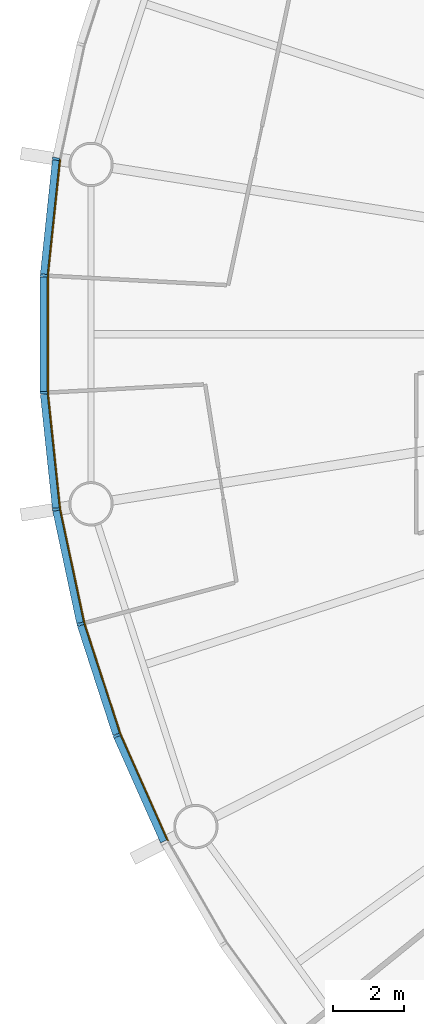
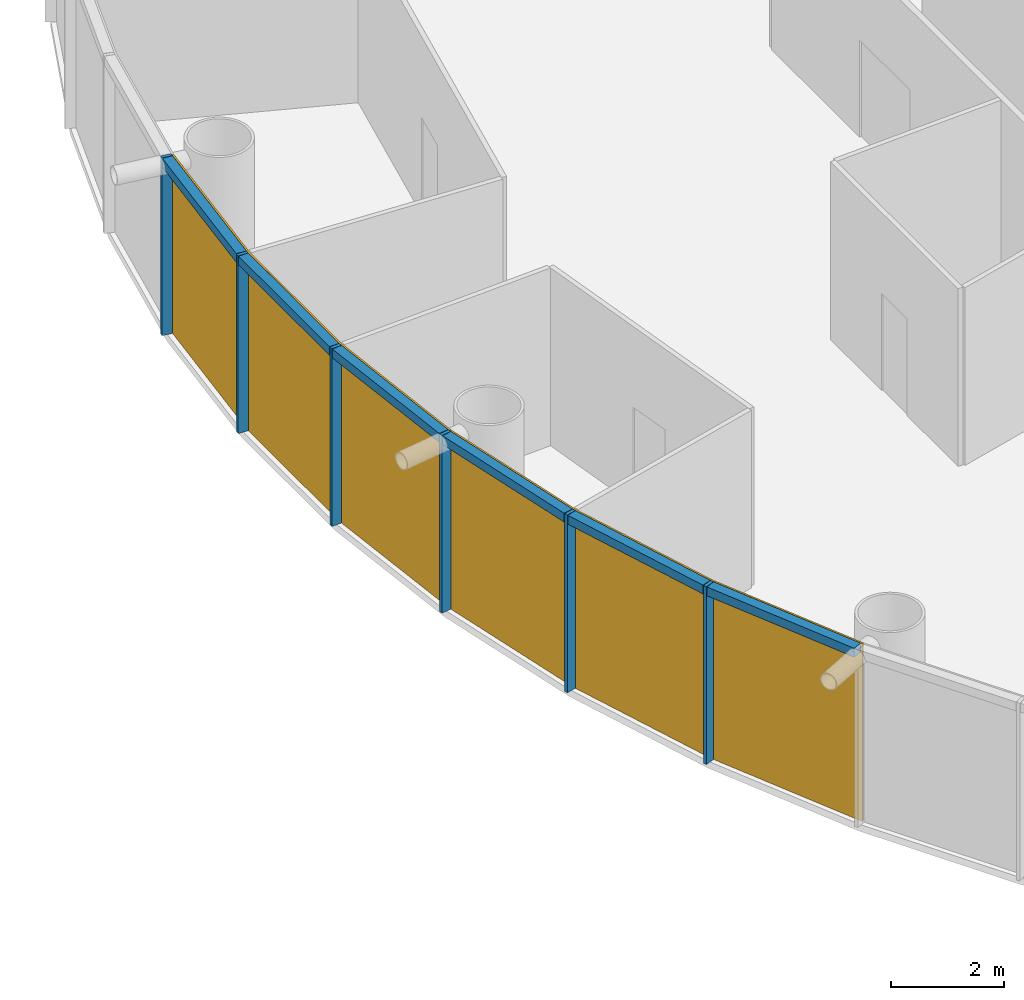
# One storey, part 8 of 13: 12 members, 2 curtain walls.
"""IFC4 building model written with IfcOpenShell, lengths in metres."""

from ifc_helpers import new_model, si_unit, direction, frame, origin, origin_2d, place, context, subcontext, project, spatial, polyline, rectangle, outline, extrude, material, layer, layer_set, material_profile, profile_set, type_object, element, aggregate, save


model = new_model("IFC4")

# Units and contexts
model_context = context("Model", 3, precision=1e-05, world=origin(), true_north=direction((0.0, 1.0)))
body_context = subcontext(model_context, "Body", "Model", "MODEL_VIEW")
ifc_project = project(units=[si_unit("LENGTHUNIT", "METRE"), si_unit("AREAUNIT", "SQUARE_METRE"), si_unit("VOLUMEUNIT", "CUBIC_METRE"), si_unit("PLANEANGLEUNIT", "RADIAN"), si_unit("MASSUNIT", "GRAM", prefix="KILO")], contexts=[model_context])

# Member
ifc_material_1 = material(Name="Anodised aluminium", Category="aluminium")
ifc_material_profile_1 = material_profile(ifc_material_1, rectangle(XDim=0.070068359375, YDim=0.199951171875, at=origin_2d()), Name="Mullion 70 x 200 mm anodised aluminium")
ifc_profile_set_1 = profile_set([ifc_material_profile_1], Name="Anodised aluminium")
member_type_1 = type_object("IfcMemberType", Name="Mullion 70 x 200 mm anodised aluminium", PredefinedType="MULLION", material=ifc_profile_set_1)
site_placement = place(None, origin())
building_placement = place(site_placement, origin())
storey_placement = place(building_placement, frame((0.0, 0.0, 92.0)))
member_1_placement = place(storey_placement, frame((58.7890625, 84.943359375, 0.0), z_axis=(0.0, 0.0, 1.0), x_axis=(-0.15643446504, -0.987688340595, 0.0)))
member_1 = element("IfcMember", 1, at=member_1_placement, type_object=member_type_1, Name="MULLION L20-27", PredefinedType="MULLION", context=body_context, shape_type="SweptSolid", body=[
    extrude(rectangle(XDim=0.070068359375, YDim=0.199951171875, at=origin_2d()), origin(), (0.0, 0.0, 1.0), 3.85009765625),
])

member_2_placement = place(storey_placement, frame((58.443359375, 81.65380859375, 0.0), z_axis=(0.0, 0.0, 1.0), x_axis=(-0.052335956243, -0.998629534755, 0.0)))
member_2 = element("IfcMember", 2, at=member_2_placement, type_object=member_type_1, Name="MULLION L20-28", PredefinedType="MULLION", context=body_context, shape_type="SweptSolid", body=[
    extrude(rectangle(XDim=0.070068359375, YDim=0.199951171875, at=origin_2d()), origin(), (0.0, 0.0, 1.0), 3.85009765625),
])

member_3_placement = place(storey_placement, frame((58.443359375, 78.34619140625, 0.0), z_axis=(0.0, 0.0, 1.0), x_axis=(0.052335956243, -0.998629534755, 0.0)))
member_3 = element("IfcMember", 3, at=member_3_placement, type_object=member_type_1, Name="MULLION L20-29", PredefinedType="MULLION", context=body_context, shape_type="SweptSolid", body=[
    extrude(rectangle(XDim=0.070068359375, YDim=0.199951171875, at=origin_2d()), origin(), (0.0, 0.0, 1.0), 3.85009765625),
])

member_4_placement = place(storey_placement, frame((58.7890625, 75.056640625, 0.0), z_axis=(0.0, 0.0, 1.0), x_axis=(0.15643446504, -0.987688340595, 0.0)))
member_4 = element("IfcMember", 4, at=member_4_placement, type_object=member_type_1, Name="MULLION L20-30", PredefinedType="MULLION", context=body_context, shape_type="SweptSolid", body=[
    extrude(rectangle(XDim=0.070068359375, YDim=0.199951171875, at=origin_2d()), origin(), (0.0, 0.0, 1.0), 3.85009765625),
])

member_5_placement = place(storey_placement, frame((59.476806640625, 71.8212890625, 0.0), z_axis=(0.0, 0.0, 1.0), x_axis=(0.258819045103, -0.965925826289, 0.0)))
member_5 = element("IfcMember", 5, at=member_5_placement, type_object=member_type_1, Name="MULLION L20-31", PredefinedType="MULLION", context=body_context, shape_type="SweptSolid", body=[
    extrude(rectangle(XDim=0.070068359375, YDim=0.199951171875, at=origin_2d()), origin(), (0.0, 0.0, 1.0), 3.85009765625),
])

member_6_placement = place(storey_placement, frame((60.498779296875, 68.675537109375, 0.0), z_axis=(0.0, 0.0, 1.0), x_axis=(0.358367949545, -0.933580426497, 0.0)))
member_6 = element("IfcMember", 6, at=member_6_placement, type_object=member_type_1, Name="MULLION L20-32", PredefinedType="MULLION", context=body_context, shape_type="SweptSolid", body=[
    extrude(rectangle(XDim=0.070068359375, YDim=0.199951171875, at=origin_2d()), origin(), (0.0, 0.0, 1.0), 3.85009765625),
])

ifc_material_2 = material(Name="Anodised aluminium", Category="aluminium")
ifc_material_profile_2 = material_profile(ifc_material_2, rectangle(XDim=0.199951171875, YDim=0.18994140625, at=origin_2d()), Name="Transom 190 x 200 mm anodised aluminium")
ifc_profile_set_2 = profile_set([ifc_material_profile_2], Name="Anodised aluminium")
member_type_2 = type_object("IfcMemberType", Name="Transom 190 x 200 mm anodised aluminium", PredefinedType="USERDEFINED", material=ifc_profile_set_2)
member_7_placement = place(storey_placement, frame((58.78466796875, 84.9033203125, 3.7548828125), z_axis=(-0.104550890115, -0.994519537956, 0.0), x_axis=(0.994519537956, -0.104550890115, 0.0)))
member_7 = element("IfcMember", 7, at=member_7_placement, type_object=member_type_2, Name="TRANSOM L20-27", ObjectType="TRANSOM", PredefinedType="USERDEFINED", context=body_context, shape_type="SweptSolid", body=[
    extrude(rectangle(XDim=0.199951171875, YDim=0.18994140625, at=origin_2d()), origin(), (0.0, 0.0, 1.0), 3.22705078125),
])

member_8_placement = place(storey_placement, frame((58.443115234375, 81.613525390625, 3.7548828125), z_axis=(0.0, -1.0, 0.0), x_axis=(1.0, 0.0, 0.0)))
member_8 = element("IfcMember", 8, at=member_8_placement, type_object=member_type_2, Name="TRANSOM L20-28", ObjectType="TRANSOM", PredefinedType="USERDEFINED", context=body_context, shape_type="SweptSolid", body=[
    extrude(rectangle(XDim=0.199951171875, YDim=0.18994140625, at=origin_2d()), origin(), (0.0, 0.0, 1.0), 3.22705078125),
])

member_9_placement = place(storey_placement, frame((58.447265625, 78.30615234375, 3.7548828125), z_axis=(0.104550890115, -0.994519537956, 0.0), x_axis=(0.994519537956, 0.104550890115, 0.0)))
member_9 = element("IfcMember", 9, at=member_9_placement, type_object=member_type_2, Name="TRANSOM L20-29", ObjectType="TRANSOM", PredefinedType="USERDEFINED", context=body_context, shape_type="SweptSolid", body=[
    extrude(rectangle(XDim=0.199951171875, YDim=0.18994140625, at=origin_2d()), origin(), (0.0, 0.0, 1.0), 3.22705078125),
])

member_10_placement = place(storey_placement, frame((58.79736328125, 75.017333984375, 3.7548828125), z_axis=(0.207885898771, -0.978153082647, 0.0), x_axis=(0.978153082647, 0.207885898771, 0.0)))
member_10 = element("IfcMember", 10, at=member_10_placement, type_object=member_type_2, Name="TRANSOM L20-30", ObjectType="TRANSOM", PredefinedType="USERDEFINED", context=body_context, shape_type="SweptSolid", body=[
    extrude(rectangle(XDim=0.199951171875, YDim=0.18994140625, at=origin_2d()), origin(), (0.0, 0.0, 1.0), 3.227294921875),
])

member_11_placement = place(storey_placement, frame((59.489013671875, 71.782958984375, 3.7548828125), z_axis=(0.309046726844, -0.951046855117, 0.0), x_axis=(0.951046855117, 0.309046726844, 0.0)))
member_11 = element("IfcMember", 11, at=member_11_placement, type_object=member_type_2, Name="TRANSOM L20-31", ObjectType="TRANSOM", PredefinedType="USERDEFINED", context=body_context, shape_type="SweptSolid", body=[
    extrude(rectangle(XDim=0.199951171875, YDim=0.18994140625, at=origin_2d()), origin(), (0.0, 0.0, 1.0), 3.22705078125),
])

member_12_placement = place(storey_placement, frame((60.51513671875, 68.638671875, 3.7548828125), z_axis=(0.406728032322, -0.913549291349, 0.0), x_axis=(0.913549291349, 0.406728032322, 0.0)))
member_12 = element("IfcMember", 12, at=member_12_placement, type_object=member_type_2, Name="TRANSOM L20-32", ObjectType="TRANSOM", PredefinedType="USERDEFINED", context=body_context, shape_type="SweptSolid", body=[
    extrude(rectangle(XDim=0.199951171875, YDim=0.18994140625, at=origin_2d()), origin(), (0.0, 0.0, 1.0), 3.22705078125),
])

# Site, building, storey
site = spatial("IfcSite", under=ifc_project, at=site_placement, CompositionType="ELEMENT")
building = spatial("IfcBuilding", under=site, at=building_placement, Name="Entoto Ring Tower", CompositionType="ELEMENT")
storey = spatial("IfcBuildingStorey", under=building, at=storey_placement, Name="L20", CompositionType="ELEMENT", Elevation=92.0)

# Curtain wall
ifc_material_3 = material(Name="Clear low-iron glass", Category="glass")
ifc_layer = layer(ifc_material_3, 0.035888671875)
ifc_layer_set = layer_set([ifc_layer], Name="Clear low-iron glass")
curtain_wall_type = type_object("IfcCurtainWallType", Name="Curtain wall system CW2 glazing 36 mm", PredefinedType="NOTDEFINED", material=ifc_layer_set)
curtain_wall_1_placement = place(storey_placement, origin())
curtain_wall_1 = element("IfcCurtainWall", 13, at=curtain_wall_1_placement, inside=storey, type_object=curtain_wall_type, Name="CW2 L20-10", PredefinedType="NOTDEFINED", context=body_context, shape_type="SweptSolid", body=[
    extrude(outline(polyline([(58.8876953125, 84.927734375), (58.543212890625, 81.648681640625), (58.543212890625, 78.351318359375), (58.8876953125, 75.072265625), (58.92333984375, 75.077880859375), (58.5791015625, 78.353271484375), (58.5791015625, 81.646728515625), (58.92333984375, 84.922119140625), (58.8876953125, 84.927734375)])), origin(), (0.0, 0.0, 1.0), 3.85009765625),
])

aggregate(curtain_wall_1, [member_1, member_2, member_3, member_7, member_8, member_9])

curtain_wall_2_placement = place(storey_placement, origin())
curtain_wall_2 = element("IfcCurtainWall", 14, at=curtain_wall_2_placement, inside=storey, type_object=curtain_wall_type, Name="CW2 L20-11", PredefinedType="NOTDEFINED", context=body_context, shape_type="SweptSolid", body=[
    extrude(outline(polyline([(58.8876953125, 75.072265625), (59.5732421875, 71.84716796875), (60.59228515625, 68.71142578125), (61.933349609375, 65.69921875), (61.96533203125, 65.715576171875), (60.6259765625, 68.724365234375), (59.608154296875, 71.8564453125), (58.92333984375, 75.077880859375), (58.8876953125, 75.072265625)])), origin(), (0.0, 0.0, 1.0), 3.85009765625),
])

aggregate(curtain_wall_2, [member_4, member_5, member_6, member_10, member_11, member_12])

save(model, "model.ifc")
